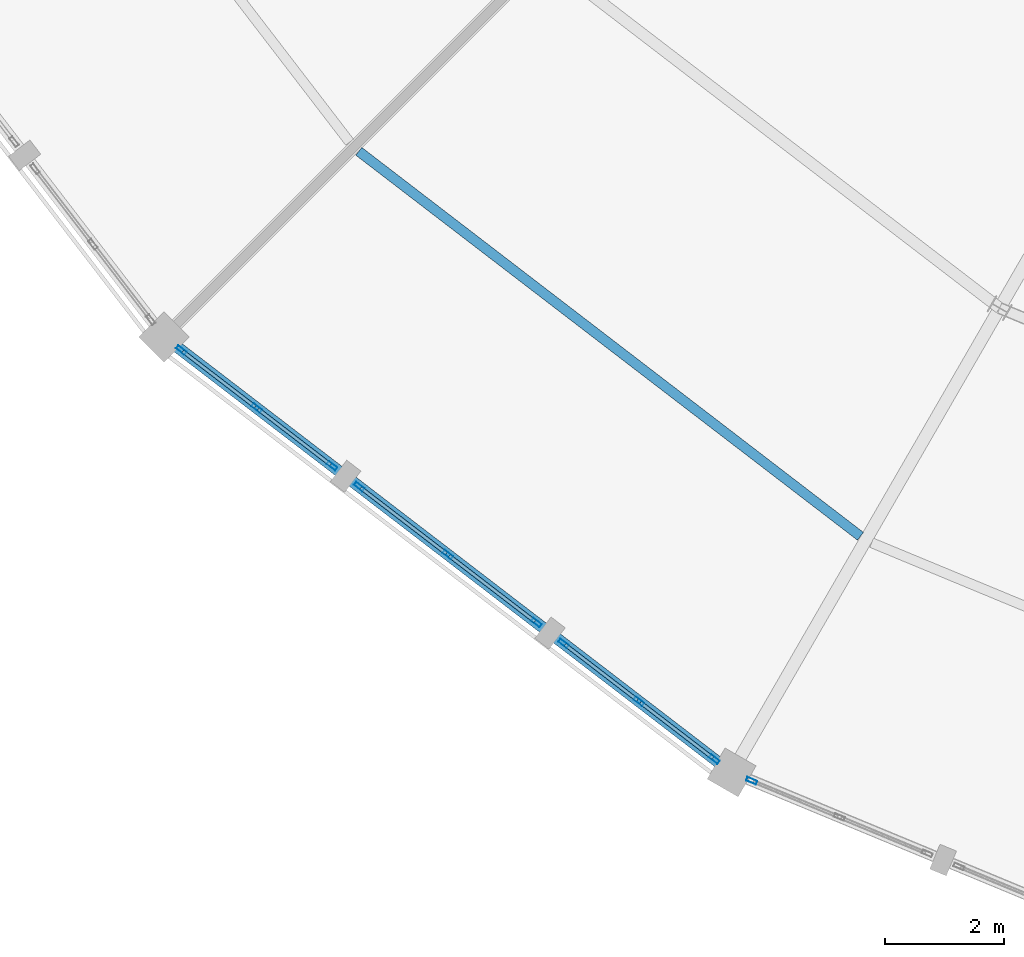
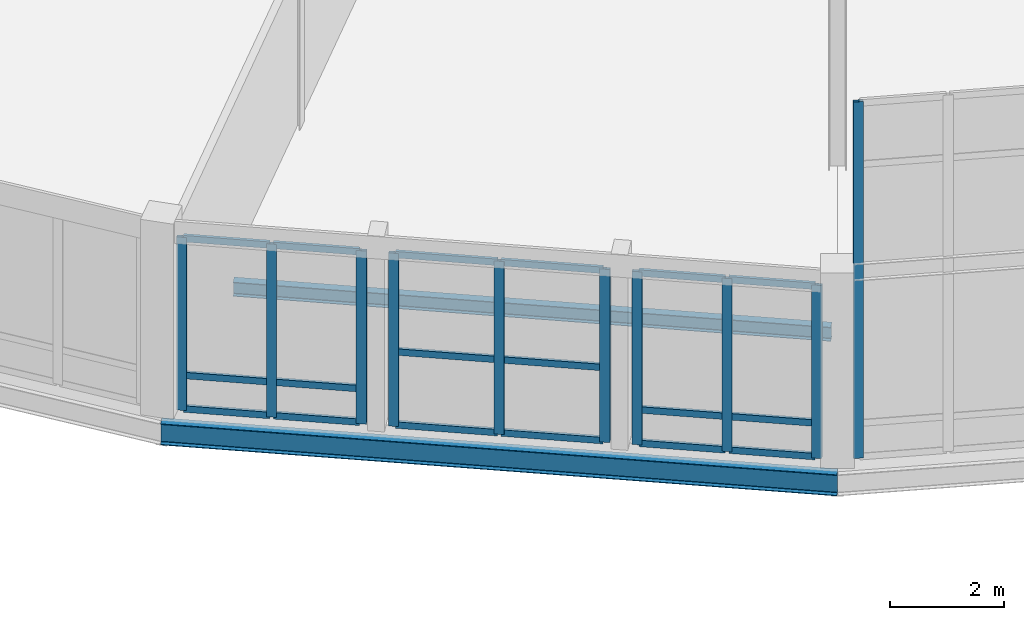
# One storey, part 34 of 170: 28 members, 2 beams, 4 elements without a shape of their own.
"""IFC4 building model written with IfcOpenShell, lengths in metres."""

import ifcopenshell
import ifcopenshell.guid

model = None  # the IFC model being written
_history = None  # IfcOwnerHistory: only IFC2X3 demands one
_inside = {}  # id of a spatial element -> (the spatial element, [elements in it])
_under = {}  # id of a project, library or spatial element -> (it, [spatial elements below it])
_declared = {}  # id of a project -> (the project, [libraries it declares])
_typed = {}  # id of a type object -> (the type object, [elements of that type])
_made_of = {}  # id of a material, layer set ... -> (it, [elements and type objects made of it])


def new_model(schema):
    """Start an empty IFC model of exactly this schema.

    Asked for "IFC4X3", IfcOpenShell would pick the latest addendum, in which some entities
    have other attributes; the version numbers below select the first issue.
    IFC2X3 requires an IfcOwnerHistory on every rooted entity: one is made here for all.
    """
    global model, _history
    if schema == "IFC4X3":
        model = ifcopenshell.file(schema_version=(4, 3, 0, 0))
    else:
        model = ifcopenshell.file(schema=schema)
    _inside.clear()
    _under.clear()
    _declared.clear()
    _typed.clear()
    _made_of.clear()
    _history = None
    if model.schema == "IFC2X3":
        org = make("IfcOrganization", Name="unknown")
        user = make(
            "IfcPersonAndOrganization",
            ThePerson=make("IfcPerson", FamilyName="unknown"),
            TheOrganization=org,
        )
        app = make(
            "IfcApplication",
            ApplicationDeveloper=org,
            Version="unknown",
            ApplicationFullName="unknown",
            ApplicationIdentifier="unknown",
        )
        _history = make(
            "IfcOwnerHistory",
            OwningUser=user,
            OwningApplication=app,
            ChangeAction="ADDED",
            CreationDate=0,
        )
    return model


def make(cls, **values):
    """One entity of the class cls with the attributes given. An attribute that is None is left unset."""
    return model.create_entity(
        cls, **{name: value for name, value in values.items() if value is not None}
    )


def rooted(cls, **values):
    """An entity with a GlobalId (a new one), such as an element, a storey or a relation."""
    return make(cls, GlobalId=ifcopenshell.guid.new(), OwnerHistory=_history, **values)


def si_unit(unit_type, name, prefix=None):
    """IfcSIUnit, for example si_unit("LENGTHUNIT", "METRE", prefix="MILLI")."""
    return make("IfcSIUnit", UnitType=unit_type, Prefix=prefix, Name=name)


def assignment(units):
    """IfcUnitAssignment: the units of a project."""
    return None if units is None else make("IfcUnitAssignment", Units=units)


def point(xyz):
    """IfcCartesianPoint."""
    return None if xyz is None else make("IfcCartesianPoint", Coordinates=xyz)


def direction(xyz):
    """IfcDirection."""
    return None if xyz is None else make("IfcDirection", DirectionRatios=xyz)


def frame(location, z_axis=None, x_axis=None):
    """IfcAxis2Placement3D, a coordinate frame: its origin and axes. An axis left out is left unset."""
    return make(
        "IfcAxis2Placement3D",
        Location=point(location),
        Axis=direction(z_axis),
        RefDirection=direction(x_axis),
    )


def frame_2d(location, x_axis=None):
    """IfcAxis2Placement2D, a coordinate frame in the plane: its origin and x axis."""
    return make(
        "IfcAxis2Placement2D", Location=point(location), RefDirection=direction(x_axis)
    )


def origin():
    """The frame at (0, 0, 0) with its axes left unset."""
    return frame((0.0, 0.0, 0.0))


def origin_2d():
    """The frame at (0, 0) in the plane with its x axis left unset."""
    return frame_2d((0.0, 0.0))


def place(relative_to, where):
    """IfcLocalPlacement: puts the frame where relative to a parent placement (None: the world)."""
    return make(
        "IfcLocalPlacement", PlacementRelTo=relative_to, RelativePlacement=where
    )


def context(
    kind, dimensions, precision=None, world=None, true_north=None, identifier=None
):
    """IfcGeometricRepresentationContext, for example the 3D "Model" context."""
    return make(
        "IfcGeometricRepresentationContext",
        ContextIdentifier=identifier,
        ContextType=kind,
        CoordinateSpaceDimension=dimensions,
        Precision=precision,
        WorldCoordinateSystem=world,
        TrueNorth=true_north,
    )


def subcontext(parent, identifier, kind, view, scale=None):
    """IfcGeometricRepresentationSubContext, for example "Body" below "Model"."""
    return make(
        "IfcGeometricRepresentationSubContext",
        ContextIdentifier=identifier,
        ContextType=kind,
        ParentContext=parent,
        TargetScale=scale,
        TargetView=view,
    )


def project(units=None, contexts=None):
    """IfcProject with its units and contexts."""
    return rooted(
        "IfcProject",
        Name="project",
        RepresentationContexts=contexts,
        UnitsInContext=assignment(units),
    )


def spatial(cls, under=None, at=None, **own):
    """A site, building, storey or space (cls), placed at a placement, below another one or the project."""
    s = rooted(cls, ObjectPlacement=at, **own)
    if under is not None:
        _under.setdefault(under.id(), (under, []))[1].append(s)
    return s


def profile(cls, at=None, kind="AREA", **sizes):
    """A parametric profile (cls). Its sizes go by their IFC names, for example OverallWidth=200.0."""
    return make(cls, ProfileType=kind, Position=at, **sizes)


def hollow_rectangle(**sizes):
    """IfcRectangleHollowProfileDef."""
    return profile("IfcRectangleHollowProfileDef", **sizes)


def i_section(**sizes):
    """IfcIShapeProfileDef."""
    return profile("IfcIShapeProfileDef", **sizes)


def extrude(swept, where, along, depth):
    """IfcExtrudedAreaSolid: the profile swept, set in the frame where, extruded along a direction by depth."""
    return make(
        "IfcExtrudedAreaSolid",
        SweptArea=swept,
        Position=where,
        ExtrudedDirection=direction(along),
        Depth=depth,
    )


def shape(context_of_items, identifier, shape_type, items):
    """IfcShapeRepresentation: the items that make up one representation, for example the "Body"."""
    return make(
        "IfcShapeRepresentation",
        ContextOfItems=context_of_items,
        RepresentationIdentifier=identifier,
        RepresentationType=shape_type,
        Items=items,
    )


def material(Name=None, Category=None):
    """IfcMaterial."""
    return make("IfcMaterial", Name=Name, Category=Category)


def material_profile(
    of_material, cross_section, Name=None, Category=None, Priority=None
):
    """IfcMaterialProfile: a cross section and its material."""
    return make(
        "IfcMaterialProfile",
        Name=Name,
        Material=of_material,
        Profile=cross_section,
        Priority=Priority,
        Category=Category,
    )


def profile_set(profiles, Name=None, composite=None):
    """IfcMaterialProfileSet."""
    return make(
        "IfcMaterialProfileSet",
        Name=Name,
        MaterialProfiles=profiles,
        CompositeProfile=composite,
    )


def made_of(thing, what):
    """Note that an element or type object is made of a material, layer set ...; save() writes the relation."""
    if what is not None:
        _made_of.setdefault(what.id(), (what, []))[1].append(thing)
    return thing


def type_object(cls, material=None, **own):
    """A type object (cls), such as IfcWallType, which elements share."""
    return made_of(rooted(cls, **own), material)


def element(
    cls,
    number,
    at=None,
    inside=None,
    cuts=None,
    type_object=None,
    material=None,
    context=None,
    identifier="Body",
    shape_type=None,
    held_by="IfcProductDefinitionShape",
    body=None,
    shapes=None,
    **own,
):
    """One element of the class cls, such as IfcWall. Its Tag is "e" and its number.

    at: its placement. inside: the storey or other place that contains it. cuts: it is an
    opening in that element (IfcRelVoidsElement). A single representation is given by context,
    identifier, shape_type and body (its items); several are given by shapes. held_by: the class
    of the entity that holds the representations. save() writes the other relations.
    """
    e = rooted(cls, Tag="e%d" % number, ObjectPlacement=at, **own)
    if body is not None:
        shapes = [shape(context, identifier, shape_type, body)]
    if shapes is not None:
        e.Representation = make(held_by, Representations=shapes)
    if inside is not None:
        _inside.setdefault(inside.id(), (inside, []))[1].append(e)
    if cuts is not None:
        rooted(
            "IfcRelVoidsElement", RelatingBuildingElement=cuts, RelatedOpeningElement=e
        )
    if type_object is not None:
        _typed.setdefault(type_object.id(), (type_object, []))[1].append(e)
    return made_of(e, material)


def aggregate(whole, parts):
    """IfcRelAggregates: a whole, such as a stair, and the parts it consists of."""
    return rooted("IfcRelAggregates", RelatingObject=whole, RelatedObjects=parts)


def save(model, path):
    """Write the relations noted so far, then the file.

    IfcRelAggregates (storeys below a building ...), IfcRelContainedInSpatialStructure (elements
    in a storey), IfcRelDefinesByType, IfcRelAssociatesMaterial and IfcRelDeclares: one each for
    every whole, place, type object, material and project.
    """
    for whole, parts in _under.values():
        aggregate(whole, parts)
    for where, things in _inside.values():
        rooted(
            "IfcRelContainedInSpatialStructure",
            RelatedElements=things,
            RelatingStructure=where,
        )
    for kind, things in _typed.values():
        rooted("IfcRelDefinesByType", RelatedObjects=things, RelatingType=kind)
    for what, things in _made_of.values():
        rooted("IfcRelAssociatesMaterial", RelatedObjects=things, RelatingMaterial=what)
    for by, libraries in _declared.values():
        rooted("IfcRelDeclares", RelatingContext=by, RelatedDefinitions=libraries)
    model.write(path)


model = new_model("IFC4")

# Units and contexts
model_context = context("Model", 3, precision=1e-05, world=origin(), true_north=direction((0.0, 1.0)))
body_context = subcontext(model_context, "Body", "Model", "MODEL_VIEW")
ifc_project = project(units=[si_unit("LENGTHUNIT", "METRE"), si_unit("AREAUNIT", "SQUARE_METRE"), si_unit("VOLUMEUNIT", "CUBIC_METRE"), si_unit("PLANEANGLEUNIT", "RADIAN"), si_unit("MASSUNIT", "GRAM", prefix="KILO")], contexts=[model_context])

# Site, building, storey
site_placement = place(None, origin())
site = spatial("IfcSite", under=ifc_project, at=site_placement, CompositionType="ELEMENT")
building_placement = place(site_placement, origin())
building = spatial("IfcBuilding", under=site, at=building_placement, Name="Vondelvale Polytechnic", CompositionType="ELEMENT")
storey_placement = place(building_placement, frame((0.0, 0.0, 5.39990234375)))
storey = spatial("IfcBuildingStorey", under=building, at=storey_placement, Name="L01", CompositionType="ELEMENT", Elevation=5.39990234375)

# Beam
ifc_material_1 = material(Name="Steel 300PLUS (fy = 300 MPa)", Category="steel")
ifc_material_profile_1 = material_profile(ifc_material_1, i_section(OverallWidth=0.18994140625, OverallDepth=0.45703125, WebThickness=0.009033203125, FlangeThickness=0.014404296875, FilletRadius=0.011474609375, at=origin_2d()), Name="460UB74.6")
ifc_profile_set_1 = profile_set([ifc_material_profile_1], Name="Steel 300PLUS (fy = 300 MPa)")
beam_type_1 = type_object("IfcBeamType", Name="BM-UB460", PredefinedType="BEAM", material=ifc_profile_set_1)
beam_1_placement = place(storey_placement, frame((69.47314453125, 39.47314453125, -0.50830078125), z_axis=(0.793349743808, -0.608766116008, 0.0), x_axis=(0.608766116008, 0.793349743808, 0.0)))
element("IfcBeam", 1, at=beam_1_placement, inside=storey, type_object=beam_type_1, Name="L01 RB B-13", PredefinedType="BEAM", context=body_context, shape_type="SweptSolid", body=[
    extrude(i_section(OverallWidth=0.18994140625, OverallDepth=0.45703125, WebThickness=0.009033203125, FlangeThickness=0.014404296875, FilletRadius=0.011474609375, at=origin_2d()), origin(), (0.0, 0.0, 1.0), 12.00830078125),
])

# Curtain wall, members
ifc_material_2 = material(Name="Glulam GL18 structural Tasmanian oak (fb = 42 MPa)", Category="wood")
curtain_wall_type = type_object("IfcCurtainWallType", Name="CW-RING-OUTER", PredefinedType="NOTDEFINED", material=ifc_material_2)
curtain_wall_1_placement = place(storey_placement, origin())
curtain_wall_1 = element("IfcCurtainWall", 2, at=curtain_wall_1_placement, inside=storey, type_object=curtain_wall_type, Name="L01 architectural curtain wall CW-04-318", PredefinedType="NOTDEFINED")
ifc_material_3 = material(Name="Anodised extruded aluminium 6063-T6", Category="aluminium")
ifc_material_profile_2 = material_profile(ifc_material_3, hollow_rectangle(XDim=0.06494140625, YDim=0.179931640625, WallThickness=0.00390625, at=origin_2d()), Name="CW-MUL-180x65")
ifc_profile_set_2 = profile_set([ifc_material_profile_2], Name="Anodised extruded aluminium 6063-T6")
member_type_1 = type_object("IfcMemberType", Name="CW-MUL-65x180", PredefinedType="MULLION", material=ifc_profile_set_2)
member_1_placement = place(storey_placement, frame((69.762939453125, 39.250732421875, 0.0), z_axis=(0.0, 0.0, 1.0), x_axis=(0.608786860133, 0.793333825656, 0.0)))
member_1 = element("IfcMember", 3, at=member_1_placement, type_object=member_type_1, Name="CW-04-318 mullion 1", PredefinedType="MULLION", context=body_context, shape_type="SweptSolid", body=[
    extrude(hollow_rectangle(XDim=0.06494140625, YDim=0.179931640625, WallThickness=0.00390625, at=origin_2d()), origin(), (0.0, 0.0, 1.0), 3.72021484375),
])
member_2_placement = place(storey_placement, frame((71.0283203125, 38.27978515625, 0.0), z_axis=(0.0, 0.0, 1.0), x_axis=(0.608786860133, 0.793333825656, 0.0)))
member_2 = element("IfcMember", 4, at=member_2_placement, type_object=member_type_1, Name="CW-04-318 mullion 2", PredefinedType="MULLION", context=body_context, shape_type="SweptSolid", body=[
    extrude(hollow_rectangle(XDim=0.06494140625, YDim=0.179931640625, WallThickness=0.00390625, at=origin_2d()), origin(), (0.0, 0.0, 1.0), 3.72021484375),
])
member_3_placement = place(storey_placement, frame((72.293701171875, 37.308837890625, 0.0), z_axis=(0.0, 0.0, 1.0), x_axis=(0.608786860133, 0.793333825656, 0.0)))
member_3 = element("IfcMember", 5, at=member_3_placement, type_object=member_type_1, Name="CW-04-318 mullion 3", PredefinedType="MULLION", context=body_context, shape_type="SweptSolid", body=[
    extrude(hollow_rectangle(XDim=0.06494140625, YDim=0.179931640625, WallThickness=0.00390625, at=origin_2d()), origin(), (0.0, 0.0, 1.0), 3.72021484375),
])

curtain_wall_2_placement = place(storey_placement, origin())
curtain_wall_2 = element("IfcCurtainWall", 6, at=curtain_wall_2_placement, inside=storey, type_object=curtain_wall_type, Name="L01 architectural curtain wall CW-04-319", PredefinedType="NOTDEFINED")
member_4_placement = place(storey_placement, frame((72.749755859375, 36.958740234375, 0.0), z_axis=(0.0, 0.0, 1.0), x_axis=(0.608771189063, 0.793345851043, 0.0)))
member_4 = element("IfcMember", 7, at=member_4_placement, type_object=member_type_1, Name="CW-04-319 mullion 1", PredefinedType="MULLION", context=body_context, shape_type="SweptSolid", body=[
    extrude(hollow_rectangle(XDim=0.06494140625, YDim=0.179931640625, WallThickness=0.00390625, at=origin_2d()), origin(), (0.0, 0.0, 1.0), 3.72021484375),
])
member_5_placement = place(storey_placement, frame((74.236572265625, 35.81787109375, 0.0), z_axis=(0.0, 0.0, 1.0), x_axis=(0.608771189063, 0.793345851043, 0.0)))
member_5 = element("IfcMember", 8, at=member_5_placement, type_object=member_type_1, Name="CW-04-319 mullion 2", PredefinedType="MULLION", context=body_context, shape_type="SweptSolid", body=[
    extrude(hollow_rectangle(XDim=0.06494140625, YDim=0.179931640625, WallThickness=0.00390625, at=origin_2d()), origin(), (0.0, 0.0, 1.0), 3.72021484375),
])
member_6_placement = place(storey_placement, frame((75.723388671875, 34.677001953125, 0.0), z_axis=(0.0, 0.0, 1.0), x_axis=(0.608771189063, 0.793345851043, 0.0)))
member_6 = element("IfcMember", 9, at=member_6_placement, type_object=member_type_1, Name="CW-04-319 mullion 3", PredefinedType="MULLION", context=body_context, shape_type="SweptSolid", body=[
    extrude(hollow_rectangle(XDim=0.06494140625, YDim=0.179931640625, WallThickness=0.00390625, at=origin_2d()), origin(), (0.0, 0.0, 1.0), 3.72021484375),
])

curtain_wall_3_placement = place(storey_placement, origin())
curtain_wall_3 = element("IfcCurtainWall", 10, at=curtain_wall_3_placement, inside=storey, type_object=curtain_wall_type, Name="L01 architectural curtain wall CW-04-320", PredefinedType="NOTDEFINED")
member_7_placement = place(storey_placement, frame((76.179443359375, 34.3271484375, 0.0), z_axis=(0.0, 0.0, 1.0), x_axis=(0.608786860133, 0.793333825656, 0.0)))
member_7 = element("IfcMember", 11, at=member_7_placement, type_object=member_type_1, Name="CW-04-320 mullion 1", PredefinedType="MULLION", context=body_context, shape_type="SweptSolid", body=[
    extrude(hollow_rectangle(XDim=0.06494140625, YDim=0.179931640625, WallThickness=0.00390625, at=origin_2d()), origin(), (0.0, 0.0, 1.0), 3.72021484375),
])
member_8_placement = place(storey_placement, frame((77.44482421875, 33.356201171875, 0.0), z_axis=(0.0, 0.0, 1.0), x_axis=(0.608786860133, 0.793333825656, 0.0)))
member_8 = element("IfcMember", 12, at=member_8_placement, type_object=member_type_1, Name="CW-04-320 mullion 2", PredefinedType="MULLION", context=body_context, shape_type="SweptSolid", body=[
    extrude(hollow_rectangle(XDim=0.06494140625, YDim=0.179931640625, WallThickness=0.00390625, at=origin_2d()), origin(), (0.0, 0.0, 1.0), 3.72021484375),
])
member_9_placement = place(storey_placement, frame((78.710205078125, 32.385009765625, 0.0), z_axis=(0.0, 0.0, 1.0), x_axis=(0.608786860133, 0.793333825656, 0.0)))
member_9 = element("IfcMember", 13, at=member_9_placement, type_object=member_type_1, Name="CW-04-320 mullion 3", PredefinedType="MULLION", context=body_context, shape_type="SweptSolid", body=[
    extrude(hollow_rectangle(XDim=0.06494140625, YDim=0.179931640625, WallThickness=0.00390625, at=origin_2d()), origin(), (0.0, 0.0, 1.0), 3.72021484375),
])

# Curtain wall, member
curtain_wall_4_placement = place(storey_placement, origin())
curtain_wall_4 = element("IfcCurtainWall", 14, at=curtain_wall_4_placement, inside=storey, type_object=curtain_wall_type, Name="L01 architectural curtain wall CW-04-330", PredefinedType="NOTDEFINED")
member_10_placement = place(storey_placement, frame((79.33740234375, 32.02294921875, 0.0), z_axis=(0.0, 0.0, 1.0), x_axis=(0.382677394529, 0.923882033442, 0.0)))
member_10 = element("IfcMember", 15, at=member_10_placement, type_object=member_type_1, Name="CW-04-330 mullion 1", PredefinedType="MULLION", context=body_context, shape_type="SweptSolid", body=[
    extrude(hollow_rectangle(XDim=0.06494140625, YDim=0.179931640625, WallThickness=0.00390625, at=origin_2d()), origin(), (0.0, 0.0, 1.0), 7.661376953125),
])
aggregate(curtain_wall_4, [member_10])

# Member
ifc_material_profile_3 = material_profile(ifc_material_3, hollow_rectangle(XDim=0.06005859375, YDim=0.139892578125, WallThickness=0.00341796875, at=origin_2d()), Name="CW-TRN-140x60")
ifc_profile_set_3 = profile_set([ifc_material_profile_3], Name="Anodised extruded aluminium 6063-T6")
member_type_2 = type_object("IfcMemberType", Name="CW-TRN-60x140", PredefinedType="USERDEFINED", material=ifc_profile_set_3)
member_11_placement = place(storey_placement, frame((69.78857421875, 39.23095703125, 0.030029296875), z_axis=(0.793364883229, -0.608746385664, 0.0), x_axis=(0.608746385664, 0.793364883229, 0.0)))
member_11 = element("IfcMember", 16, at=member_11_placement, type_object=member_type_2, Name="CW-04-318 transom 1.1", ObjectType="TRANSOM", PredefinedType="USERDEFINED", context=body_context, shape_type="SweptSolid", body=[
    extrude(hollow_rectangle(XDim=0.06005859375, YDim=0.139892578125, WallThickness=0.00341796875, at=origin_2d()), origin(), (0.0, 0.0, 1.0), 1.530029296875),
])

member_12_placement = place(storey_placement, frame((69.78857421875, 39.23095703125, 0.75), z_axis=(0.793364883229, -0.608746385664, 0.0), x_axis=(0.608746385664, 0.793364883229, 0.0)))
member_12 = element("IfcMember", 17, at=member_12_placement, type_object=member_type_2, Name="CW-04-318 transom 1.2", ObjectType="TRANSOM", PredefinedType="USERDEFINED", context=body_context, shape_type="SweptSolid", body=[
    extrude(hollow_rectangle(XDim=0.06005859375, YDim=0.139892578125, WallThickness=0.00341796875, at=origin_2d()), origin(), (0.0, 0.0, 1.0), 1.530029296875),
])

member_13_placement = place(storey_placement, frame((69.78857421875, 39.23095703125, 3.690185546875), z_axis=(0.793364883229, -0.608746385664, 0.0), x_axis=(0.608746385664, 0.793364883229, 0.0)))
member_13 = element("IfcMember", 18, at=member_13_placement, type_object=member_type_2, Name="CW-04-318 transom 1.3", ObjectType="TRANSOM", PredefinedType="USERDEFINED", context=body_context, shape_type="SweptSolid", body=[
    extrude(hollow_rectangle(XDim=0.06005859375, YDim=0.139892578125, WallThickness=0.00341796875, at=origin_2d()), origin(), (0.0, 0.0, 1.0), 1.530029296875),
])

member_14_placement = place(storey_placement, frame((71.053955078125, 38.260009765625, 0.030029296875), z_axis=(0.793364883229, -0.608746385664, 0.0), x_axis=(0.608746385664, 0.793364883229, 0.0)))
member_14 = element("IfcMember", 19, at=member_14_placement, type_object=member_type_2, Name="CW-04-318 transom 2.1", ObjectType="TRANSOM", PredefinedType="USERDEFINED", context=body_context, shape_type="SweptSolid", body=[
    extrude(hollow_rectangle(XDim=0.06005859375, YDim=0.139892578125, WallThickness=0.00341796875, at=origin_2d()), origin(), (0.0, 0.0, 1.0), 1.530029296875),
])

member_15_placement = place(storey_placement, frame((71.053955078125, 38.260009765625, 0.75), z_axis=(0.793364883229, -0.608746385664, 0.0), x_axis=(0.608746385664, 0.793364883229, 0.0)))
member_15 = element("IfcMember", 20, at=member_15_placement, type_object=member_type_2, Name="CW-04-318 transom 2.2", ObjectType="TRANSOM", PredefinedType="USERDEFINED", context=body_context, shape_type="SweptSolid", body=[
    extrude(hollow_rectangle(XDim=0.06005859375, YDim=0.139892578125, WallThickness=0.00341796875, at=origin_2d()), origin(), (0.0, 0.0, 1.0), 1.530029296875),
])

member_16_placement = place(storey_placement, frame((71.053955078125, 38.260009765625, 3.690185546875), z_axis=(0.793364883229, -0.608746385664, 0.0), x_axis=(0.608746385664, 0.793364883229, 0.0)))
member_16 = element("IfcMember", 21, at=member_16_placement, type_object=member_type_2, Name="CW-04-318 transom 2.3", ObjectType="TRANSOM", PredefinedType="USERDEFINED", context=body_context, shape_type="SweptSolid", body=[
    extrude(hollow_rectangle(XDim=0.06005859375, YDim=0.139892578125, WallThickness=0.00341796875, at=origin_2d()), origin(), (0.0, 0.0, 1.0), 1.530029296875),
])

aggregate(curtain_wall_1, [member_1, member_2, member_3, member_11, member_12, member_13, member_14, member_15, member_16])

member_17_placement = place(storey_placement, frame((72.775634765625, 36.93896484375, 0.030029296875), z_axis=(0.793310842007, -0.608816809849, 0.0), x_axis=(0.608816809849, 0.793310842007, 0.0)))
member_17 = element("IfcMember", 22, at=member_17_placement, type_object=member_type_2, Name="CW-04-319 transom 1.1", ObjectType="TRANSOM", PredefinedType="USERDEFINED", context=body_context, shape_type="SweptSolid", body=[
    extrude(hollow_rectangle(XDim=0.06005859375, YDim=0.139892578125, WallThickness=0.00341796875, at=origin_2d()), origin(), (0.0, 0.0, 1.0), 1.808837890625),
])

member_18_placement = place(storey_placement, frame((72.775634765625, 36.93896484375, 1.60009765625), z_axis=(0.793310842007, -0.608816809849, 0.0), x_axis=(0.608816809849, 0.793310842007, 0.0)))
member_18 = element("IfcMember", 23, at=member_18_placement, type_object=member_type_2, Name="CW-04-319 transom 1.2", ObjectType="TRANSOM", PredefinedType="USERDEFINED", context=body_context, shape_type="SweptSolid", body=[
    extrude(hollow_rectangle(XDim=0.06005859375, YDim=0.139892578125, WallThickness=0.00341796875, at=origin_2d()), origin(), (0.0, 0.0, 1.0), 1.808837890625),
])

member_19_placement = place(storey_placement, frame((72.775634765625, 36.93896484375, 3.690185546875), z_axis=(0.793310842007, -0.608816809849, 0.0), x_axis=(0.608816809849, 0.793310842007, 0.0)))
member_19 = element("IfcMember", 24, at=member_19_placement, type_object=member_type_2, Name="CW-04-319 transom 1.3", ObjectType="TRANSOM", PredefinedType="USERDEFINED", context=body_context, shape_type="SweptSolid", body=[
    extrude(hollow_rectangle(XDim=0.06005859375, YDim=0.139892578125, WallThickness=0.00341796875, at=origin_2d()), origin(), (0.0, 0.0, 1.0), 1.808837890625),
])

member_20_placement = place(storey_placement, frame((74.262451171875, 35.798095703125, 0.030029296875), z_axis=(0.793310842007, -0.608816809849, 0.0), x_axis=(0.608816809849, 0.793310842007, 0.0)))
member_20 = element("IfcMember", 25, at=member_20_placement, type_object=member_type_2, Name="CW-04-319 transom 2.1", ObjectType="TRANSOM", PredefinedType="USERDEFINED", context=body_context, shape_type="SweptSolid", body=[
    extrude(hollow_rectangle(XDim=0.06005859375, YDim=0.139892578125, WallThickness=0.00341796875, at=origin_2d()), origin(), (0.0, 0.0, 1.0), 1.808837890625),
])

member_21_placement = place(storey_placement, frame((74.262451171875, 35.798095703125, 1.60009765625), z_axis=(0.793310842007, -0.608816809849, 0.0), x_axis=(0.608816809849, 0.793310842007, 0.0)))
member_21 = element("IfcMember", 26, at=member_21_placement, type_object=member_type_2, Name="CW-04-319 transom 2.2", ObjectType="TRANSOM", PredefinedType="USERDEFINED", context=body_context, shape_type="SweptSolid", body=[
    extrude(hollow_rectangle(XDim=0.06005859375, YDim=0.139892578125, WallThickness=0.00341796875, at=origin_2d()), origin(), (0.0, 0.0, 1.0), 1.808837890625),
])

member_22_placement = place(storey_placement, frame((74.262451171875, 35.798095703125, 3.690185546875), z_axis=(0.793310842007, -0.608816809849, 0.0), x_axis=(0.608816809849, 0.793310842007, 0.0)))
member_22 = element("IfcMember", 27, at=member_22_placement, type_object=member_type_2, Name="CW-04-319 transom 2.3", ObjectType="TRANSOM", PredefinedType="USERDEFINED", context=body_context, shape_type="SweptSolid", body=[
    extrude(hollow_rectangle(XDim=0.06005859375, YDim=0.139892578125, WallThickness=0.00341796875, at=origin_2d()), origin(), (0.0, 0.0, 1.0), 1.808837890625),
])

aggregate(curtain_wall_2, [member_4, member_5, member_6, member_17, member_18, member_19, member_20, member_21, member_22])

member_23_placement = place(storey_placement, frame((76.205322265625, 34.307373046875, 0.030029296875), z_axis=(0.793305741078, -0.60882345649, 0.0), x_axis=(0.60882345649, 0.793305741078, 0.0)))
member_23 = element("IfcMember", 28, at=member_23_placement, type_object=member_type_2, Name="CW-04-320 transom 1.1", ObjectType="TRANSOM", PredefinedType="USERDEFINED", context=body_context, shape_type="SweptSolid", body=[
    extrude(hollow_rectangle(XDim=0.06005859375, YDim=0.139892578125, WallThickness=0.00341796875, at=origin_2d()), origin(), (0.0, 0.0, 1.0), 1.52978515625),
])

member_24_placement = place(storey_placement, frame((76.205322265625, 34.307373046875, 0.75), z_axis=(0.793305741078, -0.60882345649, 0.0), x_axis=(0.60882345649, 0.793305741078, 0.0)))
member_24 = element("IfcMember", 29, at=member_24_placement, type_object=member_type_2, Name="CW-04-320 transom 1.2", ObjectType="TRANSOM", PredefinedType="USERDEFINED", context=body_context, shape_type="SweptSolid", body=[
    extrude(hollow_rectangle(XDim=0.06005859375, YDim=0.139892578125, WallThickness=0.00341796875, at=origin_2d()), origin(), (0.0, 0.0, 1.0), 1.52978515625),
])

member_25_placement = place(storey_placement, frame((76.205322265625, 34.307373046875, 3.690185546875), z_axis=(0.793305741078, -0.60882345649, 0.0), x_axis=(0.60882345649, 0.793305741078, 0.0)))
member_25 = element("IfcMember", 30, at=member_25_placement, type_object=member_type_2, Name="CW-04-320 transom 1.3", ObjectType="TRANSOM", PredefinedType="USERDEFINED", context=body_context, shape_type="SweptSolid", body=[
    extrude(hollow_rectangle(XDim=0.06005859375, YDim=0.139892578125, WallThickness=0.00341796875, at=origin_2d()), origin(), (0.0, 0.0, 1.0), 1.52978515625),
])

member_26_placement = place(storey_placement, frame((77.470703125, 33.33642578125, 0.030029296875), z_axis=(0.7932286645, -0.608923875222, 0.0), x_axis=(0.608923875222, 0.7932286645, 0.0)))
member_26 = element("IfcMember", 31, at=member_26_placement, type_object=member_type_2, Name="CW-04-320 transom 2.1", ObjectType="TRANSOM", PredefinedType="USERDEFINED", context=body_context, shape_type="SweptSolid", body=[
    extrude(hollow_rectangle(XDim=0.06005859375, YDim=0.139892578125, WallThickness=0.00341796875, at=origin_2d()), origin(), (0.0, 0.0, 1.0), 1.530029296875),
])

member_27_placement = place(storey_placement, frame((77.470703125, 33.33642578125, 0.75), z_axis=(0.7932286645, -0.608923875222, 0.0), x_axis=(0.608923875222, 0.7932286645, 0.0)))
member_27 = element("IfcMember", 32, at=member_27_placement, type_object=member_type_2, Name="CW-04-320 transom 2.2", ObjectType="TRANSOM", PredefinedType="USERDEFINED", context=body_context, shape_type="SweptSolid", body=[
    extrude(hollow_rectangle(XDim=0.06005859375, YDim=0.139892578125, WallThickness=0.00341796875, at=origin_2d()), origin(), (0.0, 0.0, 1.0), 1.530029296875),
])

member_28_placement = place(storey_placement, frame((77.470703125, 33.33642578125, 3.690185546875), z_axis=(0.7932286645, -0.608923875222, 0.0), x_axis=(0.608923875222, 0.7932286645, 0.0)))
member_28 = element("IfcMember", 33, at=member_28_placement, type_object=member_type_2, Name="CW-04-320 transom 2.3", ObjectType="TRANSOM", PredefinedType="USERDEFINED", context=body_context, shape_type="SweptSolid", body=[
    extrude(hollow_rectangle(XDim=0.06005859375, YDim=0.139892578125, WallThickness=0.00341796875, at=origin_2d()), origin(), (0.0, 0.0, 1.0), 1.530029296875),
])

aggregate(curtain_wall_3, [member_7, member_8, member_9, member_23, member_24, member_25, member_26, member_27, member_28])

# Beam
ifc_material_profile_4 = material_profile(ifc_material_1, i_section(OverallWidth=0.1650390625, OverallDepth=0.303955078125, WebThickness=0.006103515625, FlangeThickness=0.01025390625, FilletRadius=0.011474609375, at=origin_2d()), Name="310UB40.4")
ifc_profile_set_4 = profile_set([ifc_material_profile_4], Name="Steel 300PLUS (fy = 300 MPa)")
beam_type_2 = type_object("IfcBeamType", Name="JST-UB310", PredefinedType="JOIST", material=ifc_profile_set_4)
beam_2_placement = place(storey_placement, frame((72.742431640625, 42.588134765625, -0.431884765625), z_axis=(0.793346013368, -0.608770977523, 0.0), x_axis=(0.608770977523, 0.793346013368, 0.0)))
element("IfcBeam", 34, at=beam_2_placement, inside=storey, type_object=beam_type_2, Name="L01 RJ J-05", PredefinedType="JOIST", context=body_context, shape_type="SweptSolid", body=[
    extrude(i_section(OverallWidth=0.1650390625, OverallDepth=0.303955078125, WebThickness=0.006103515625, FlangeThickness=0.01025390625, FilletRadius=0.011474609375, at=origin_2d()), origin(), (0.0, 0.0, 1.0), 10.613525390625),
])

save(model, "model.ifc")
